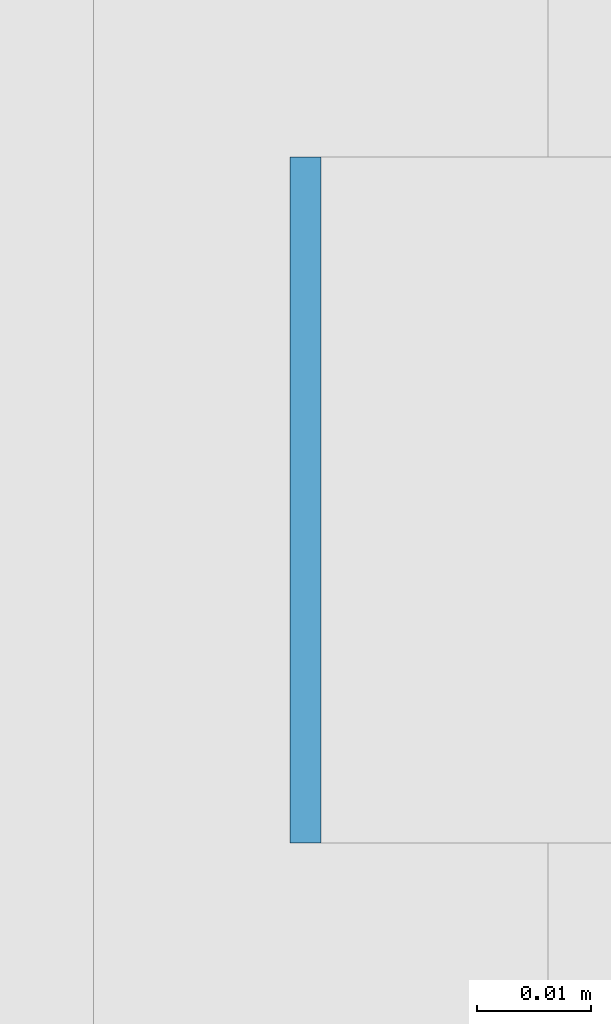
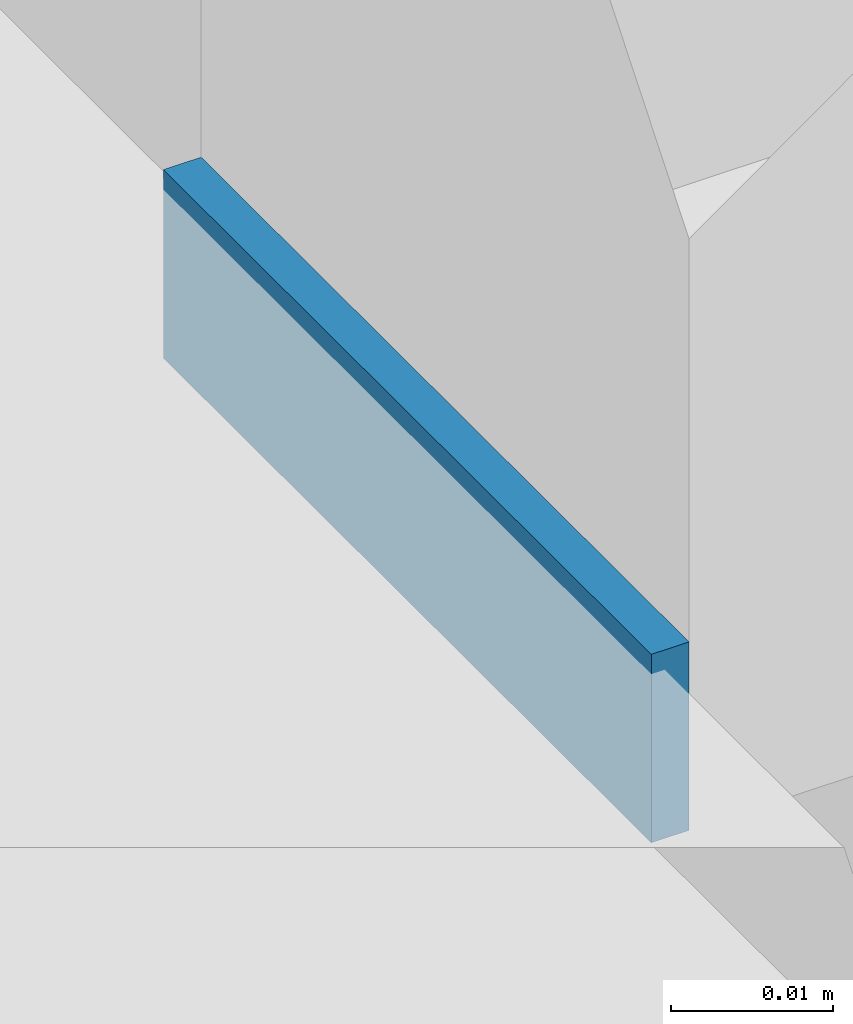
# One storey, part 576 of 646: 1 discrete accessory.
"""IFC4 building model written with IfcOpenShell, lengths in metres."""

from ifc_helpers import new_model, si_unit, direction, frame, origin, origin_2d, place, context, subcontext, project, spatial, rectangle, extrude, material, type_object, element, save


model = new_model("IFC4")

# Units and contexts
model_context = context("Model", 3, precision=1e-05, world=origin(), true_north=direction((0.0, 1.0)))
body_context = subcontext(model_context, "Body", "Model", "MODEL_VIEW")
ifc_project = project(units=[si_unit("LENGTHUNIT", "METRE"), si_unit("AREAUNIT", "SQUARE_METRE"), si_unit("VOLUMEUNIT", "CUBIC_METRE"), si_unit("PLANEANGLEUNIT", "RADIAN"), si_unit("MASSUNIT", "GRAM", prefix="KILO")], contexts=[model_context])

# Site, building, storey
site_placement = place(None, origin())
site = spatial("IfcSite", under=ifc_project, at=site_placement, CompositionType="ELEMENT")
building_placement = place(site_placement, origin())
building = spatial("IfcBuilding", under=site, at=building_placement, Name="Silverbay Arena", CompositionType="ELEMENT")
storey_placement = place(building_placement, frame((0.0, 0.0, 33.5)))
storey = spatial("IfcBuildingStorey", under=building, at=storey_placement, Name="L05", CompositionType="ELEMENT", Elevation=33.5)

# Discrete accessory
ifc_material = material(Name="Steel S355", Category="steel")
discrete_accessory_type = type_object("IfcDiscreteAccessoryType", Name="Steel bracket plate", PredefinedType="BRACKET", material=ifc_material)
discrete_accessory_placement = place(storey_placement, frame((207.128662109375, 109.28564453125, 4.0), z_axis=(0.0, 0.0, 1.0), x_axis=(1.0, 0.0, 0.0)))
element("IfcDiscreteAccessory", 1, at=discrete_accessory_placement, inside=storey, type_object=discrete_accessory_type, Name="Curtain wall packing plate", PredefinedType="BRACKET", context=body_context, shape_type="SweptSolid", body=[
    extrude(rectangle(XDim=0.002685546875, YDim=0.06005859375, at=origin_2d()), origin(), (0.0, 0.0, 1.0), 0.01416015625),
])

save(model, "model.ifc")
